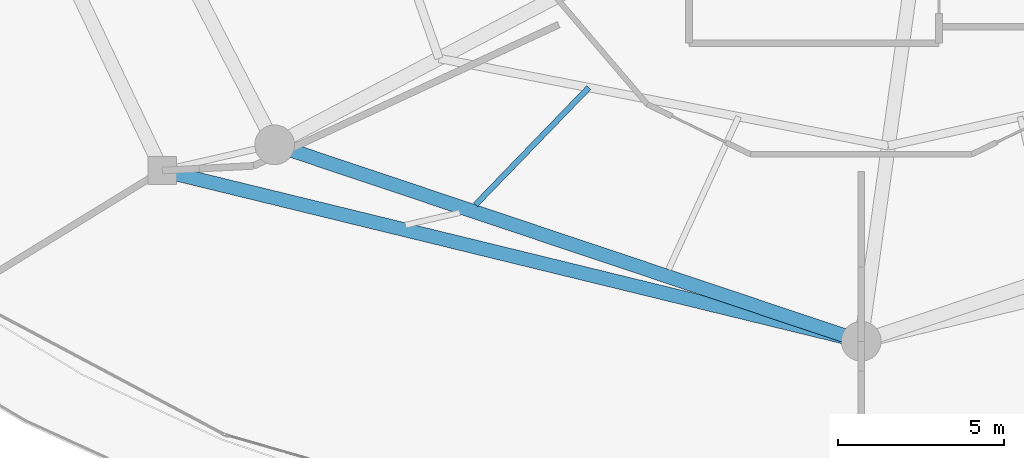
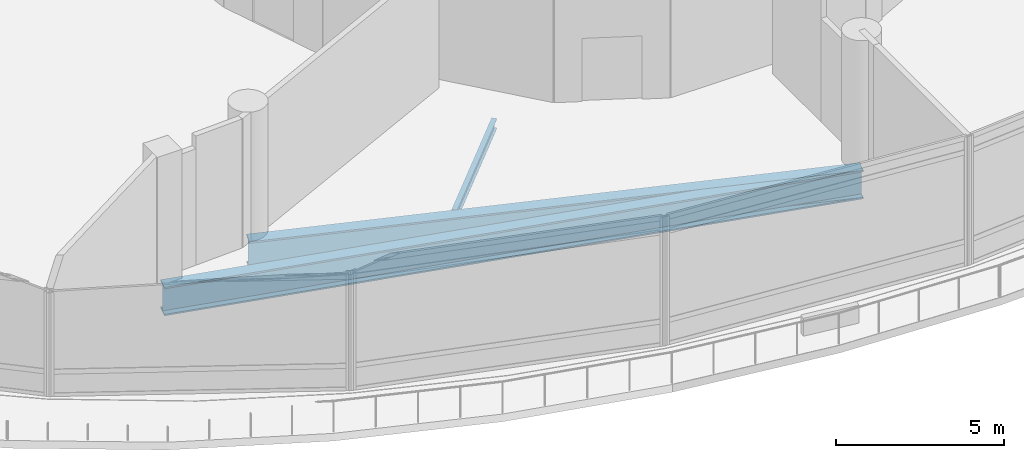
# One storey, part 4 of 37: 3 beams.
"""IFC4 building model written with IfcOpenShell, lengths in metres."""

from ifc_helpers import new_model, si_unit, direction, frame, origin, origin_2d, place, context, subcontext, project, spatial, i_section, extrude, material, material_profile, profile_set, type_object, element, save


model = new_model("IFC4")

# Units and contexts
model_context = context("Model", 3, precision=1e-05, world=origin(), true_north=direction((0.0, 1.0)))
body_context = subcontext(model_context, "Body", "Model", "MODEL_VIEW")
ifc_project = project(units=[si_unit("LENGTHUNIT", "METRE"), si_unit("AREAUNIT", "SQUARE_METRE"), si_unit("VOLUMEUNIT", "CUBIC_METRE"), si_unit("PLANEANGLEUNIT", "RADIAN"), si_unit("MASSUNIT", "GRAM", prefix="KILO")], contexts=[model_context])

# Site, building, storey
site_placement = place(None, origin())
site = spatial("IfcSite", under=ifc_project, at=site_placement, CompositionType="ELEMENT")
building_placement = place(site_placement, origin())
building = spatial("IfcBuilding", under=site, at=building_placement, Name="Nuhasar Tower", CompositionType="ELEMENT")
storey_placement = place(building_placement, frame((0.0, 0.0, 6.0)))
storey = spatial("IfcBuildingStorey", under=building, at=storey_placement, Name="L01", CompositionType="ELEMENT", Elevation=6.0)

# Beams
ifc_material_1 = material(Name="Steel S355", Category="steel")
ifc_material_profile_1 = material_profile(ifc_material_1, i_section(OverallWidth=0.1708984375, OverallDepth=0.35205078125, WebThickness=0.0068359375, FlangeThickness=0.009765625, at=origin_2d()), Name="W14X30")
ifc_profile_set_1 = profile_set([ifc_material_profile_1], Name="Steel S355")
beam_type_1 = type_object("IfcBeamType", Name="BM-JST-W14X30", PredefinedType="JOIST", material=ifc_profile_set_1)
beam_1_placement = place(storey_placement, frame((30.77490234375, 14.208984375, -0.47607421875), z_axis=(-0.695213362508, -0.718803436685, 0.0), x_axis=(0.718803436685, -0.695213362508, 0.0)))
element("IfcBeam", 1, at=beam_1_placement, inside=storey, type_object=beam_type_1, Name="L01 Secondary Floor Joist 01", PredefinedType="JOIST", context=body_context, shape_type="SweptSolid", body=[
    extrude(i_section(OverallWidth=0.1708984375, OverallDepth=0.35205078125, WebThickness=0.0068359375, FlangeThickness=0.009765625, at=origin_2d()), origin(), (0.0, 0.0, 1.0), 4.92626953125),
])
ifc_material_2 = material(Name="Steel S460", Category="steel")
ifc_material_profile_2 = material_profile(ifc_material_2, i_section(OverallWidth=0.419921875, OverallDepth=1.0400390625, WebThickness=0.031005859375, FlangeThickness=0.055908203125, at=origin_2d()), Name="W40X397")
ifc_profile_set_2 = profile_set([ifc_material_profile_2], Name="Steel S460")
beam_type_2 = type_object("IfcBeamType", Name="BM-XFER-W40X397", PredefinedType="USERDEFINED", material=ifc_profile_set_2)
beam_2_placement = place(storey_placement, frame((21.287109375, 12.48095703125, -0.820068359375), z_axis=(0.948255042429, -0.317509644748, 0.0), x_axis=(0.317509644748, 0.948255042429, 0.0)))
element("IfcBeam", 2, at=beam_2_placement, inside=storey, type_object=beam_type_2, Name="L01 Mega-Column Ring Girder 01", ObjectType="GIRDER", PredefinedType="USERDEFINED", context=body_context, shape_type="SweptSolid", body=[
    extrude(i_section(OverallWidth=0.419921875, OverallDepth=1.0400390625, WebThickness=0.031005859375, FlangeThickness=0.055908203125, at=origin_2d()), origin(), (0.0, 0.0, 1.0), 18.679443359375),
])
beam_3_placement = place(storey_placement, frame((17.89306640625, 11.702880859375, -0.820068359375), z_axis=(0.971469463574, -0.237164671365, 0.0), x_axis=(0.237164671365, 0.971469463574, 0.0)))
element("IfcBeam", 3, at=beam_3_placement, inside=storey, type_object=beam_type_2, Name="L01 Podium Ring Girder 01", ObjectType="GIRDER", PredefinedType="USERDEFINED", context=body_context, shape_type="SweptSolid", body=[
    extrude(i_section(OverallWidth=0.419921875, OverallDepth=1.0400390625, WebThickness=0.031005859375, FlangeThickness=0.055908203125, at=origin_2d()), origin(), (0.0, 0.0, 1.0), 21.726806640625),
])

save(model, "model.ifc")
